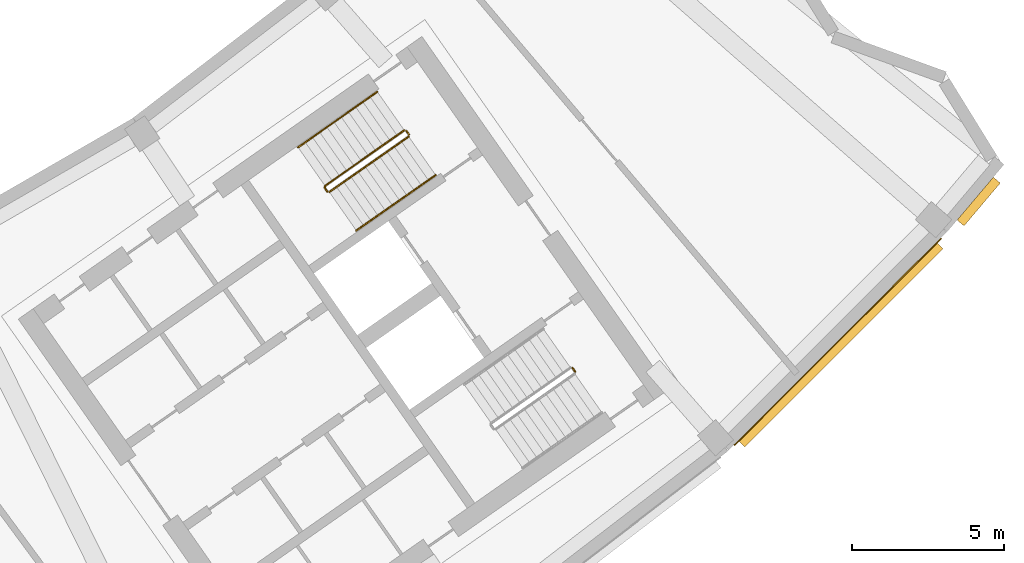
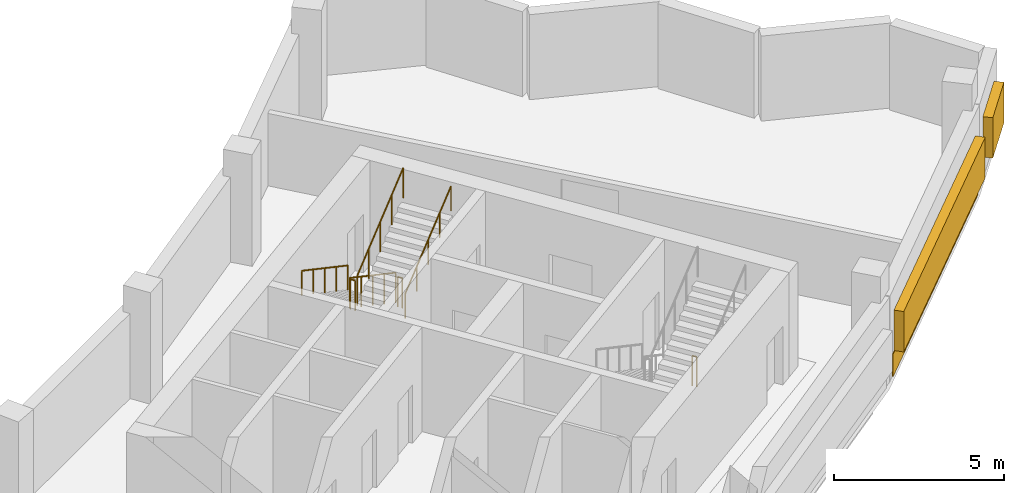
# One storey, part 11 of 11: 6 railings, 2 shading devices, 1 covering.
"""IFC4 building model written with IfcOpenShell, lengths in metres."""

from ifc_helpers import new_model, si_unit, direction, frame, origin, origin_2d, place, context, subcontext, project, spatial, rectangle, circle, extrude, material, layer, layer_set, type_object, element, save


model = new_model("IFC4")

# Units and contexts
model_context = context("Model", 3, precision=1e-05, world=origin(), true_north=direction((0.0, 1.0)))
body_context = subcontext(model_context, "Body", "Model", "MODEL_VIEW")
ifc_project = project(units=[si_unit("LENGTHUNIT", "METRE"), si_unit("AREAUNIT", "SQUARE_METRE"), si_unit("VOLUMEUNIT", "CUBIC_METRE"), si_unit("PLANEANGLEUNIT", "RADIAN"), si_unit("MASSUNIT", "GRAM", prefix="KILO")], contexts=[model_context])

# Site, building, storey
site_placement = place(None, origin())
site = spatial("IfcSite", under=ifc_project, at=site_placement, CompositionType="ELEMENT")
building_placement = place(site_placement, origin())
building = spatial("IfcBuilding", under=site, at=building_placement, Name="Qamariyya Broadcast Tower", CompositionType="ELEMENT")
storey_placement = place(building_placement, frame((0.0, 0.0, 306.699951171875)))
storey = spatial("IfcBuildingStorey", under=building, at=storey_placement, Name="L74", CompositionType="ELEMENT", Elevation=306.699951171875)

# Railings
ifc_material_1 = material(Name="Painted steel", Category="steel")
railing_type_1 = type_object("IfcRailingType", Name="Stair guard", PredefinedType="GUARDRAIL", material=ifc_material_1)
railing_1_placement = place(storey_placement, frame((41.003173828125, -48.320068359375, 0.166748046875)))
element("IfcRailing", 1, at=railing_1_placement, inside=storey, type_object=railing_type_1, Name="L74 ST-E2 stair guard 1", PredefinedType="GUARDRAIL", context=body_context, shape_type="SweptSolid", body=[
    extrude(circle(Radius=0.02392578125, at=origin_2d()), frame((0.0, 0.0, 1.076171875), z_axis=(-0.710204256923, -0.497335411159, 0.498264389913), x_axis=(0.573611290809, -0.819127637829, 0.0)), (0.0, 0.0, 1.0), 3.67919921875),
    extrude(circle(Radius=0.02392578125, at=origin_2d()), frame((-2.613037109375, -1.829833984375, 2.9091796875), z_axis=(-0.172799478008, -0.984957024646, 0.0), x_axis=(0.984957024646, -0.172799478008, 0.0)), (0.0, 0.0, 1.0), 0.070556640625),
    extrude(circle(Radius=0.02392578125, at=origin_2d()), frame((-2.625244140625, -1.8994140625, 2.9091796875), z_axis=(0.573353020881, -0.819308436089, 0.0), x_axis=(0.819308436089, 0.573353020881, 0.0)), (0.0, 0.0, 1.0), 0.14990234375),
    extrude(circle(Radius=0.02099609375, at=origin_2d()), origin(), (0.0, 0.0, 1.0), 1.052001953125),
    extrude(circle(Radius=0.02099609375, at=origin_2d()), frame((-0.6533203125, -0.45751953125, 0.458251953125)), (0.0, 0.0, 1.0), 1.052001953125),
    extrude(circle(Radius=0.02099609375, at=origin_2d()), frame((-1.306640625, -0.9150390625, 0.91650390625)), (0.0, 0.0, 1.0), 1.052001953125),
    extrude(circle(Radius=0.02099609375, at=origin_2d()), frame((-1.959716796875, -1.372314453125, 1.375)), (0.0, 0.0, 1.0), 1.052001953125),
    extrude(circle(Radius=0.02099609375, at=origin_2d()), frame((-2.613037109375, -1.829833984375, 1.833251953125)), (0.0, 0.0, 1.0), 1.052001953125),
    extrude(circle(Radius=0.02099609375, at=origin_2d()), frame((-2.625244140625, -1.8994140625, 1.833251953125)), (0.0, 0.0, 1.0), 1.052001953125),
    extrude(circle(Radius=0.02099609375, at=origin_2d()), frame((-2.539306640625, -2.022216796875, 1.833251953125)), (0.0, 0.0, 1.0), 1.052001953125),
])
railing_2_placement = place(storey_placement, frame((38.53369140625, -50.3544921875, 2.166748046875)))
element("IfcRailing", 2, at=railing_2_placement, inside=storey, type_object=railing_type_1, Name="L74 ST-E2 stair guard 2", PredefinedType="GUARDRAIL", context=body_context, shape_type="SweptSolid", body=[
    extrude(circle(Radius=0.02392578125, at=origin_2d()), frame((0.0, 0.0, 1.076171875), z_axis=(0.710227693972, 0.497285465629, 0.498280832854), x_axis=(-0.573559936391, 0.819163597438, 0.0)), (0.0, 0.0, 1.0), 3.67919921875),
    extrude(circle(Radius=0.02099609375, at=origin_2d()), origin(), (0.0, 0.0, 1.0), 1.052001953125),
    extrude(circle(Radius=0.02099609375, at=origin_2d()), frame((0.6533203125, 0.45751953125, 0.458251953125)), (0.0, 0.0, 1.0), 1.052001953125),
    extrude(circle(Radius=0.02099609375, at=origin_2d()), frame((1.306640625, 0.914794921875, 0.91650390625)), (0.0, 0.0, 1.0), 1.052001953125),
    extrude(circle(Radius=0.02099609375, at=origin_2d()), frame((1.959716796875, 1.3720703125, 1.375)), (0.0, 0.0, 1.0), 1.052001953125),
    extrude(circle(Radius=0.02099609375, at=origin_2d()), frame((2.613037109375, 1.82958984375, 1.833251953125)), (0.0, 0.0, 1.0), 1.052001953125),
])
railing_3_placement = place(storey_placement, frame((41.072998046875, -48.332275390625, 0.0)))
element("IfcRailing", 3, at=railing_3_placement, inside=storey, type_object=railing_type_1, Name="L74 ST-E2 stair guard 3", PredefinedType="GUARDRAIL", context=body_context, shape_type="SweptSolid", body=[
    extrude(circle(Radius=0.02392578125, at=origin_2d()), frame((0.0, 0.0, 1.076171875), z_axis=(0.572588637393, -0.819842821722, 0.0), x_axis=(0.819842821722, 0.572588637393, 0.0)), (0.0, 0.0, 1.0), 0.150146484375),
    extrude(circle(Radius=0.02099609375, at=origin_2d()), origin(), (0.0, 0.0, 1.0), 1.052001953125),
    extrude(circle(Radius=0.02099609375, at=origin_2d()), frame((0.0859375, -0.123046875, 0.0)), (0.0, 0.0, 1.0), 1.052001953125),
])
railing_4_placement = place(storey_placement, frame((46.550537109375, -56.1552734375, 0.0)))
element("IfcRailing", 4, at=railing_4_placement, inside=storey, type_object=railing_type_1, Name="L74 ST-E1 stair guard 3", PredefinedType="GUARDRAIL", context=body_context, shape_type="SweptSolid", body=[
    extrude(circle(Radius=0.02392578125, at=origin_2d()), frame((0.0, 0.0, 1.076171875), z_axis=(0.574444878118, -0.818543268254, 0.0), x_axis=(0.818543268254, 0.574444878118, 0.0)), (0.0, 0.0, 1.0), 0.150146484375),
    extrude(circle(Radius=0.02099609375, at=origin_2d()), origin(), (0.0, 0.0, 1.0), 1.052001953125),
    extrude(circle(Radius=0.02099609375, at=origin_2d()), frame((0.086181640625, -0.122802734375, 0.0)), (0.0, 0.0, 1.0), 1.052001953125),
])
ifc_material_2 = material(Name="Stainless steel", Category="steel")
railing_type_2 = type_object("IfcRailingType", Name="Stair handrail", PredefinedType="HANDRAIL", material=ifc_material_2)
railing_5_placement = place(storey_placement, frame((40.1142578125, -47.05029296875, 0.166748046875)))
element("IfcRailing", 5, at=railing_5_placement, inside=storey, type_object=railing_type_2, Name="L74 ST-E2 stair handrail 1", PredefinedType="HANDRAIL", context=body_context, shape_type="SweptSolid", body=[
    extrude(circle(Radius=0.02392578125, at=origin_2d()), frame((0.0, 0.0, 0.8759765625), z_axis=(-0.710204256923, -0.497335411159, 0.498264389913), x_axis=(0.573611290809, -0.819127637829, 0.0)), (0.0, 0.0, 1.0), 3.67919921875),
    extrude(circle(Radius=0.02099609375, at=origin_2d()), origin(), (0.0, 0.0, 1.0), 0.851806640625),
    extrude(circle(Radius=0.02099609375, at=origin_2d()), frame((-0.6533203125, -0.45751953125, 0.458251953125)), (0.0, 0.0, 1.0), 0.851806640625),
    extrude(circle(Radius=0.02099609375, at=origin_2d()), frame((-1.306640625, -0.9150390625, 0.91650390625)), (0.0, 0.0, 1.0), 0.851806640625),
    extrude(circle(Radius=0.02099609375, at=origin_2d()), frame((-1.959716796875, -1.372314453125, 1.375)), (0.0, 0.0, 1.0), 0.851806640625),
    extrude(circle(Radius=0.02099609375, at=origin_2d()), frame((-2.613037109375, -1.829833984375, 1.833251953125)), (0.0, 0.0, 1.0), 0.851806640625),
])
railing_6_placement = place(storey_placement, frame((39.422607421875, -51.624267578125, 2.166748046875)))
element("IfcRailing", 6, at=railing_6_placement, inside=storey, type_object=railing_type_2, Name="L74 ST-E2 stair handrail 2", PredefinedType="HANDRAIL", context=body_context, shape_type="SweptSolid", body=[
    extrude(circle(Radius=0.02392578125, at=origin_2d()), frame((0.0, 0.0, 0.8759765625), z_axis=(0.710204256923, 0.497335411159, 0.498264389913), x_axis=(-0.573611290809, 0.819127637829, 0.0)), (0.0, 0.0, 1.0), 3.67919921875),
    extrude(circle(Radius=0.02099609375, at=origin_2d()), origin(), (0.0, 0.0, 1.0), 0.851806640625),
    extrude(circle(Radius=0.02099609375, at=origin_2d()), frame((0.6533203125, 0.45751953125, 0.458251953125)), (0.0, 0.0, 1.0), 0.851806640625),
    extrude(circle(Radius=0.02099609375, at=origin_2d()), frame((1.306640625, 0.9150390625, 0.91650390625)), (0.0, 0.0, 1.0), 0.851806640625),
    extrude(circle(Radius=0.02099609375, at=origin_2d()), frame((1.959716796875, 1.372314453125, 1.375)), (0.0, 0.0, 1.0), 0.851806640625),
    extrude(circle(Radius=0.02099609375, at=origin_2d()), frame((2.613037109375, 1.829833984375, 1.833251953125)), (0.0, 0.0, 1.0), 0.851806640625),
])

# Covering
ifc_material_3 = material(Name="Glazed terracotta", Category="masonry")
ifc_layer = layer(ifc_material_3, 0.030029296875)
ifc_layer_set = layer_set([ifc_layer], Name="Terracotta cladding panel 30, crown band")
covering_type = type_object("IfcCoveringType", Name="Terracotta cladding panel 30, crown band", PredefinedType="CLADDING", material=ifc_layer_set)
covering_placement = place(storey_placement, frame((55.293701171875, -55.293701171875, 0.0), z_axis=(0.0, 0.0, 1.0), x_axis=(0.707106781187, 0.707106781187, 0.0)))
element("IfcCovering", 7, at=covering_placement, inside=storey, type_object=covering_type, Name="e-cl-L74-13", PredefinedType="CLADDING", context=body_context, shape_type="SweptSolid", body=[
    extrude(rectangle(XDim=9.648681640625, YDim=0.030029296875, at=origin_2d()), origin(), (0.0, 0.0, 1.0), 0.800048828125),
])

# Shading devices
shading_device_type = type_object("IfcShadingDeviceType", Name="Terracotta louvre bank", PredefinedType="USERDEFINED", material=ifc_material_3)
shading_device_1_placement = place(storey_placement, frame((55.38916015625, -55.38916015625, 0.80029296875), z_axis=(0.0, 0.0, 1.0), x_axis=(0.707106781187, 0.707106781187, 0.0)))
element("IfcShadingDevice", 8, at=shading_device_1_placement, inside=storey, type_object=shading_device_type, Name="e-lv-L74-13", ObjectType="LOUVRE", PredefinedType="USERDEFINED", context=body_context, shape_type="SweptSolid", body=[
    extrude(rectangle(XDim=9.248779296875, YDim=0.300048828125, at=origin_2d()), origin(), (0.0, 0.0, 1.0), 1.449951171875),
])
shading_device_2_placement = place(storey_placement, frame((59.94140625, -50.66796875, 0.80029296875), z_axis=(0.0, 0.0, 1.0), x_axis=(0.645559567332, 0.763709922042, 0.0)))
element("IfcShadingDevice", 9, at=shading_device_2_placement, inside=storey, type_object=shading_device_type, Name="e-lv-L74-14", ObjectType="LOUVRE", PredefinedType="USERDEFINED", context=body_context, shape_type="SweptSolid", body=[
    extrude(rectangle(XDim=1.8505859375, YDim=0.300048828125, at=origin_2d()), origin(), (0.0, 0.0, 1.0), 1.449951171875),
])

save(model, "model.ifc")
